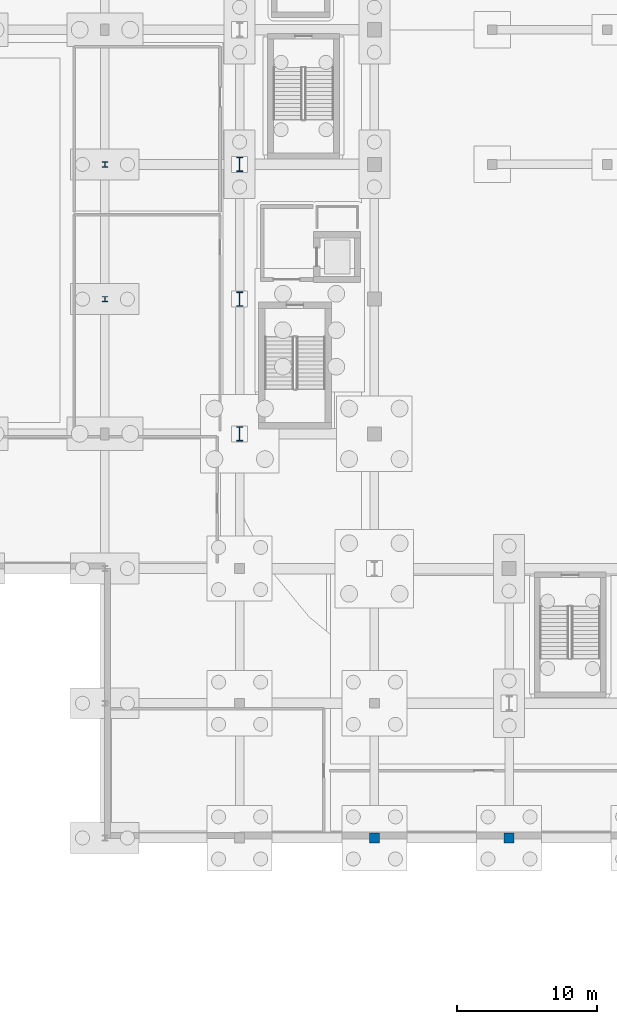
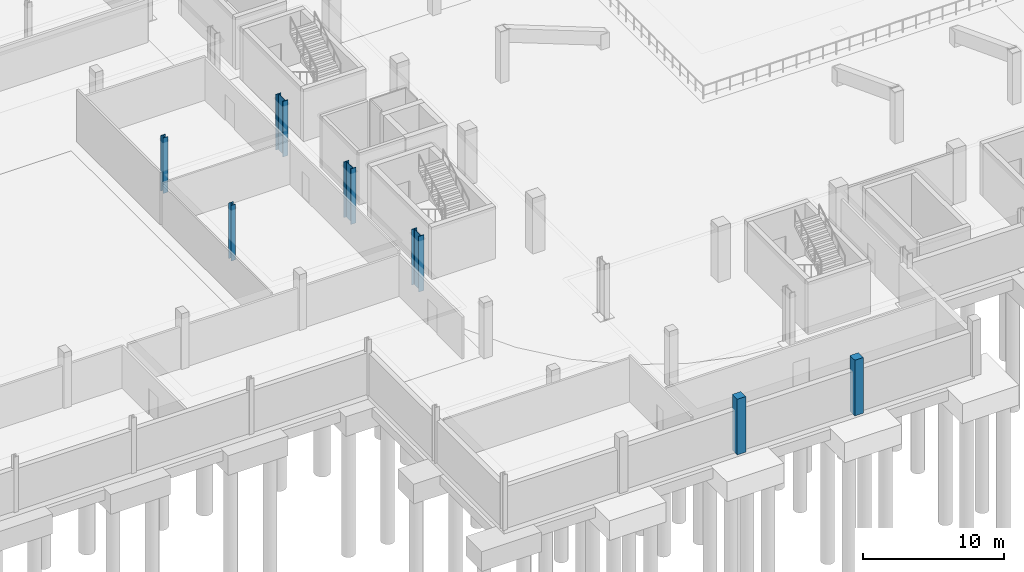
# One storey, part 15 of 67: 7 columns.
"""IFC4 building model written with IfcOpenShell, lengths in metres."""

from ifc_helpers import new_model, si_unit, direction, frame, origin, origin_2d, place, context, subcontext, project, spatial, rectangle, i_section, extrude, material, material_profile, profile_set, type_object, element, save


model = new_model("IFC4")

# Units and contexts
model_context = context("Model", 3, precision=1e-05, world=origin(), true_north=direction((0.0, 1.0)))
body_context = subcontext(model_context, "Body", "Model", "MODEL_VIEW")
ifc_project = project(units=[si_unit("LENGTHUNIT", "METRE"), si_unit("AREAUNIT", "SQUARE_METRE"), si_unit("VOLUMEUNIT", "CUBIC_METRE"), si_unit("PLANEANGLEUNIT", "RADIAN"), si_unit("MASSUNIT", "GRAM", prefix="KILO")], contexts=[model_context])

# Site, building, storey
site_placement = place(None, origin())
site = spatial("IfcSite", under=ifc_project, at=site_placement, CompositionType="ELEMENT")
building_placement = place(site_placement, origin())
building = spatial("IfcBuilding", under=site, at=building_placement, Name="Caelomonte Colonnade Arena", CompositionType="ELEMENT")
storey_placement = place(building_placement, frame((0.0, 0.0, -4.800048828125)))
storey = spatial("IfcBuildingStorey", under=building, at=storey_placement, Name="B1", CompositionType="ELEMENT", Elevation=-4.800048828125)

# Columns
ifc_material_1 = material(Name="Concrete C40/50", Category="concrete")
ifc_material_profile_1 = material_profile(ifc_material_1, rectangle(XDim=0.699951171875, YDim=0.699951171875, at=origin_2d()), Name="RC700X700")
ifc_profile_set_1 = profile_set([ifc_material_profile_1], Name="Concrete C40/50")
column_type_1 = type_object("IfcColumnType", Name="STR-COL-RC07", PredefinedType="COLUMN", material=ifc_profile_set_1)
for number, where, z_axis, x_axis, name in (
    (1, (67.199951171875, 9.60009765625, 0.0), (0.0, 0.0, 1.0), (1.0, 0.0, 0.0), "B1 column (67.2, 9.6)"),
    (2, (76.800048828125, 9.60009765625, 0.0), (0.0, 0.0, 1.0), (1.0, 0.0, 0.0), "B1 column (76.8, 9.6)"),
):
    element("IfcColumn", number, at=place(storey_placement, frame(where, z_axis=z_axis, x_axis=x_axis)), inside=storey, type_object=column_type_1, Name=name, PredefinedType="COLUMN", context=body_context, shape_type="SweptSolid", body=[
        extrude(rectangle(XDim=0.699951171875, YDim=0.699951171875, at=origin_2d()), origin(), (0.0, 0.0, 1.0), 4.800048828125),
    ])
ifc_material_2 = material(Name="Wide-flange steel ASTM A992 Grade 50", Category="steel")
ifc_material_profile_2 = material_profile(ifc_material_2, i_section(OverallWidth=0.3740234375, OverallDepth=0.372314453125, WebThickness=0.016357421875, FlangeThickness=0.026123046875, FilletRadius=0.01513671875, at=origin_2d()), Name="W14X132")
ifc_profile_set_2 = profile_set([ifc_material_profile_2], Name="Wide-flange steel ASTM A992 Grade 50")
column_type_2 = type_object("IfcColumnType", Name="STR-COL-W14A", PredefinedType="COLUMN", material=ifc_profile_set_2)
for number, where, z_axis, x_axis, name in (
    (3, (48.0, 48.0, 0.0), (0.0, 0.0, 1.0), (1.0, 0.0, 0.0), "B1 column (48.0, 48.0)"),
    (4, (48.0, 57.60009765625, 0.0), (0.0, 0.0, 1.0), (1.0, 0.0, 0.0), "B1 column (48.0, 57.6)"),
):
    element("IfcColumn", number, at=place(storey_placement, frame(where, z_axis=z_axis, x_axis=x_axis)), inside=storey, type_object=column_type_2, Name=name, PredefinedType="COLUMN", context=body_context, shape_type="SweptSolid", body=[
        extrude(i_section(OverallWidth=0.3740234375, OverallDepth=0.372314453125, WebThickness=0.016357421875, FlangeThickness=0.026123046875, FilletRadius=0.01513671875, at=origin_2d()), origin(), (0.0, 0.0, 1.0), 4.800048828125),
    ])
ifc_material_profile_3 = material_profile(ifc_material_2, i_section(OverallWidth=0.427001953125, OverallDepth=1.04150390625, WebThickness=0.031005859375, FlangeThickness=0.055908203125, FilletRadius=0.030517578125, at=origin_2d()), Name="W40X397")
ifc_profile_set_3 = profile_set([ifc_material_profile_3], Name="Wide-flange steel ASTM A992 Grade 50")
column_type_3 = type_object("IfcColumnType", Name="STR-COL-W40A", PredefinedType="COLUMN", material=ifc_profile_set_3)
for number, where, z_axis, x_axis, name in (
    (5, (57.60009765625, 38.39990234375, 0.0), (0.0, 0.0, 1.0), (1.0, 0.0, 0.0), "B1 column (57.6, 38.4)"),
    (6, (57.60009765625, 48.0, 0.0), (0.0, 0.0, 1.0), (1.0, 0.0, 0.0), "B1 column (57.6, 48.0)"),
    (7, (57.60009765625, 57.60009765625, 0.0), (0.0, 0.0, 1.0), (1.0, 0.0, 0.0), "B1 column (57.6, 57.6)"),
):
    element("IfcColumn", number, at=place(storey_placement, frame(where, z_axis=z_axis, x_axis=x_axis)), inside=storey, type_object=column_type_3, Name=name, PredefinedType="COLUMN", context=body_context, shape_type="SweptSolid", body=[
        extrude(i_section(OverallWidth=0.427001953125, OverallDepth=1.04150390625, WebThickness=0.031005859375, FlangeThickness=0.055908203125, FilletRadius=0.030517578125, at=origin_2d()), origin(), (0.0, 0.0, 1.0), 4.800048828125),
    ])

save(model, "model.ifc")
